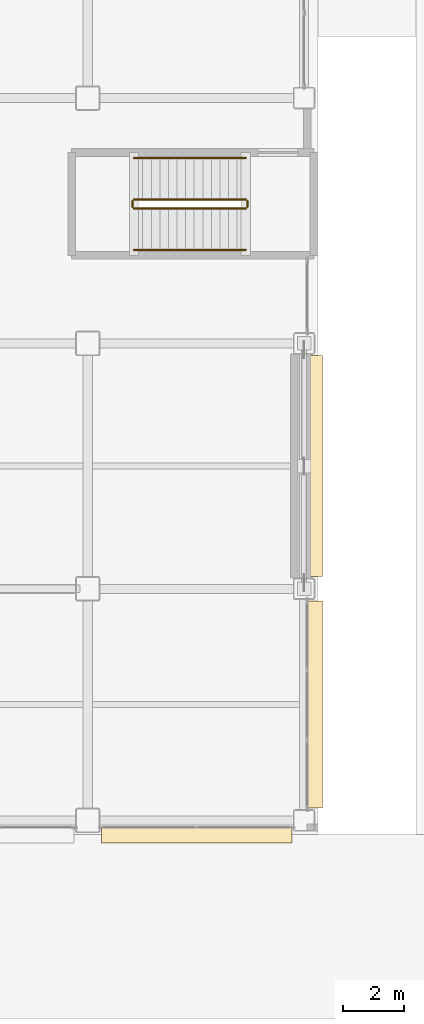
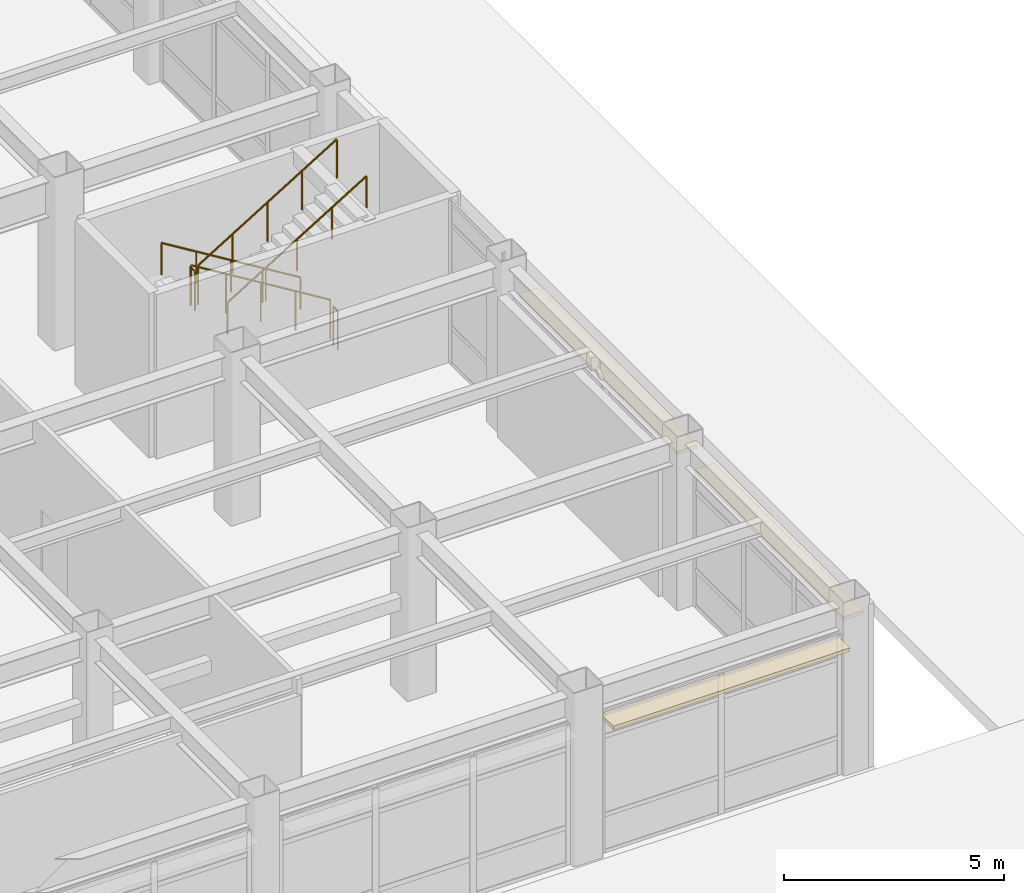
# One storey, part 167 of 172: 6 railings, 3 coverings.
"""IFC4 building model written with IfcOpenShell, lengths in metres."""

from ifc_helpers import new_model, si_unit, direction, frame, origin, origin_2d, place, context, subcontext, project, spatial, rectangle, circle, extrude, material, layer, layer_set, type_object, element, save


model = new_model("IFC4")

# Units and contexts
model_context = context("Model", 3, precision=1e-05, world=origin(), true_north=direction((0.0, 1.0)))
body_context = subcontext(model_context, "Body", "Model", "MODEL_VIEW")
ifc_project = project(units=[si_unit("LENGTHUNIT", "METRE"), si_unit("AREAUNIT", "SQUARE_METRE"), si_unit("VOLUMEUNIT", "CUBIC_METRE"), si_unit("PLANEANGLEUNIT", "RADIAN"), si_unit("MASSUNIT", "GRAM", prefix="KILO")], contexts=[model_context])

# Site, building, storey
site_placement = place(None, origin())
site = spatial("IfcSite", under=ifc_project, at=site_placement, CompositionType="ELEMENT")
building_placement = place(site_placement, origin())
building = spatial("IfcBuilding", under=site, at=building_placement, Name="Kazehara Bluff Congress Hotel", CompositionType="ELEMENT")
storey_placement = place(building_placement, frame((0.0, 0.0, 5.39990234375)))
storey = spatial("IfcBuildingStorey", under=building, at=storey_placement, Name="L01", CompositionType="ELEMENT", Elevation=5.39990234375)

# Coverings
ifc_material_1 = material(Name="Anodised aluminium architectural brise-soleil", Category="aluminium")
ifc_layer = layer(ifc_material_1, 0.10009765625)
ifc_layer_set = layer_set([ifc_layer], Name="Anodised aluminium architectural brise-soleil")
covering_type = type_object("IfcCoveringType", Name="TP-FAC-FIN", PredefinedType="CLADDING", material=ifc_layer_set)
covering_1_placement = place(storey_placement, frame((164.050048828125, -0.02001953125, 3.705078125), z_axis=(0.0, 0.0, 1.0), x_axis=(1.0, 0.0, 0.0)))
element("IfcCovering", 1, at=covering_1_placement, inside=storey, type_object=covering_type, Name="L01 V5 architectural sun-hood 56", PredefinedType="CLADDING", context=body_context, shape_type="SweptSolid", body=[
    extrude(rectangle(XDim=6.199951171875, YDim=0.52001953125, at=origin_2d()), origin(), (0.0, 0.0, 1.0), 0.10009765625),
])
covering_2_placement = place(storey_placement, frame((167.889892578125, 4.22509765625, 3.705078125), z_axis=(0.0, 0.0, 1.0), x_axis=(1.0, 0.0, 0.0)))
element("IfcCovering", 2, at=covering_2_placement, inside=storey, type_object=covering_type, Name="L01 V5 architectural sun-hood 57", PredefinedType="CLADDING", context=body_context, shape_type="SweptSolid", body=[
    extrude(rectangle(XDim=0.52001953125, YDim=6.75, at=origin_2d()), origin(), (0.0, 0.0, 1.0), 0.10009765625),
])
covering_3_placement = place(storey_placement, frame((167.889892578125, 12.0, 3.705078125), z_axis=(0.0, 0.0, 1.0), x_axis=(1.0, 0.0, 0.0)))
element("IfcCovering", 3, at=covering_3_placement, inside=storey, type_object=covering_type, Name="L01 V5 architectural sun-hood 58", PredefinedType="CLADDING", context=body_context, shape_type="SweptSolid", body=[
    extrude(rectangle(XDim=0.52001953125, YDim=7.199951171875, at=origin_2d()), origin(), (0.0, 0.0, 1.0), 0.10009765625),
])

# Railings
ifc_material_2 = material(Name="Brushed stainless steel", Category="steel")
railing_type_1 = type_object("IfcRailingType", Name="TP-GRD-INT", PredefinedType="GUARDRAIL", material=ifc_material_2)
railing_1_placement = place(storey_placement, frame((165.64990234375, 20.699951171875, 0.171630859375)))
element("IfcRailing", 4, at=railing_1_placement, inside=storey, type_object=railing_type_1, Name="L01 ST-10 stair guard 1", PredefinedType="GUARDRAIL", context=body_context, shape_type="SweptSolid", body=[
    extrude(circle(Radius=0.02392578125, at=origin_2d()), frame((0.0, 0.0, 1.076171875), z_axis=(-0.852850264322, 0.0, 0.5221555579), x_axis=(0.0, -1.0, 0.0)), (0.0, 0.0, 1.0), 4.267822265625),
    extrude(circle(Radius=0.02099609375, at=origin_2d()), origin(), (0.0, 0.0, 1.0), 1.052001953125),
    extrude(circle(Radius=0.02099609375, at=origin_2d()), frame((-0.909912109375, 0.0, 0.55712890625)), (0.0, 0.0, 1.0), 1.052001953125),
    extrude(circle(Radius=0.02099609375, at=origin_2d()), frame((-1.81982421875, 0.0, 1.1142578125)), (0.0, 0.0, 1.0), 1.052001953125),
    extrude(circle(Radius=0.02099609375, at=origin_2d()), frame((-2.72998046875, 0.0, 1.67138671875)), (0.0, 0.0, 1.0), 1.052001953125),
    extrude(circle(Radius=0.02099609375, at=origin_2d()), frame((-3.639892578125, 0.0, 2.228515625)), (0.0, 0.0, 1.0), 1.052001953125),
])
railing_2_placement = place(storey_placement, frame((161.9599609375, 20.64990234375, 2.400146484375)))
element("IfcRailing", 5, at=railing_2_placement, inside=storey, type_object=railing_type_1, Name="L01 ST-10 stair guard 2", PredefinedType="GUARDRAIL", context=body_context, shape_type="SweptSolid", body=[
    extrude(circle(Radius=0.02392578125, at=origin_2d()), frame((0.0, 0.0, 1.076171875), z_axis=(0.0, -1.0, 0.0), x_axis=(1.0, 0.0, 0.0)), (0.0, 0.0, 1.0), 0.199951171875),
    extrude(circle(Radius=0.02099609375, at=origin_2d()), origin(), (0.0, 0.0, 1.0), 1.052001953125),
    extrude(circle(Radius=0.02099609375, at=origin_2d()), frame((0.0, -0.199951171875, 0.0)), (0.0, 0.0, 1.0), 1.052001953125),
])
railing_3_placement = place(storey_placement, frame((162.010009765625, 20.39990234375, 2.571533203125)))
element("IfcRailing", 6, at=railing_3_placement, inside=storey, type_object=railing_type_1, Name="L01 ST-10 stair guard 3", PredefinedType="GUARDRAIL", context=body_context, shape_type="SweptSolid", body=[
    extrude(circle(Radius=0.02392578125, at=origin_2d()), frame((0.0, 0.0, 1.076171875), z_axis=(0.852850264322, 0.0, 0.5221555579), x_axis=(0.0, 1.0, 0.0)), (0.0, 0.0, 1.0), 4.267822265625),
    extrude(circle(Radius=0.02099609375, at=origin_2d()), origin(), (0.0, 0.0, 1.0), 1.052001953125),
    extrude(circle(Radius=0.02099609375, at=origin_2d()), frame((0.909912109375, 0.0, 0.55712890625)), (0.0, 0.0, 1.0), 1.052001953125),
    extrude(circle(Radius=0.02099609375, at=origin_2d()), frame((1.81982421875, 0.0, 1.1142578125)), (0.0, 0.0, 1.0), 1.052001953125),
    extrude(circle(Radius=0.02099609375, at=origin_2d()), frame((2.72998046875, 0.0, 1.67138671875)), (0.0, 0.0, 1.0), 1.052001953125),
    extrude(circle(Radius=0.02099609375, at=origin_2d()), frame((3.639892578125, 0.0, 2.228515625)), (0.0, 0.0, 1.0), 1.052001953125),
])
railing_4_placement = place(storey_placement, frame((165.699951171875, 20.64990234375, 0.0)))
element("IfcRailing", 7, at=railing_4_placement, inside=storey, type_object=railing_type_1, Name="L01 ST-10 stair guard 4", PredefinedType="GUARDRAIL", context=body_context, shape_type="SweptSolid", body=[
    extrude(circle(Radius=0.02392578125, at=origin_2d()), frame((0.0, 0.0, 1.076171875), z_axis=(0.0, -1.0, 0.0), x_axis=(1.0, 0.0, 0.0)), (0.0, 0.0, 1.0), 0.199951171875),
    extrude(circle(Radius=0.02099609375, at=origin_2d()), origin(), (0.0, 0.0, 1.0), 1.052001953125),
    extrude(circle(Radius=0.02099609375, at=origin_2d()), frame((0.0, -0.199951171875, 0.0)), (0.0, 0.0, 1.0), 1.052001953125),
])
ifc_material_3 = material(Name="Brushed stainless steel", Category="steel")
railing_type_2 = type_object("IfcRailingType", Name="TP-HR-INT", PredefinedType="HANDRAIL", material=ifc_material_3)
railing_5_placement = place(storey_placement, frame((165.64990234375, 22.050048828125, 0.171630859375)))
element("IfcRailing", 8, at=railing_5_placement, inside=storey, type_object=railing_type_2, Name="L01 ST-10 stair handrail 1", PredefinedType="HANDRAIL", context=body_context, shape_type="SweptSolid", body=[
    extrude(circle(Radius=0.02392578125, at=origin_2d()), frame((0.0, 0.0, 0.8759765625), z_axis=(-0.852850264322, 0.0, 0.5221555579), x_axis=(0.0, -1.0, 0.0)), (0.0, 0.0, 1.0), 4.267822265625),
    extrude(circle(Radius=0.02099609375, at=origin_2d()), origin(), (0.0, 0.0, 1.0), 0.851806640625),
    extrude(circle(Radius=0.02099609375, at=origin_2d()), frame((-0.909912109375, 0.0, 0.55712890625)), (0.0, 0.0, 1.0), 0.851806640625),
    extrude(circle(Radius=0.02099609375, at=origin_2d()), frame((-1.81982421875, 0.0, 1.1142578125)), (0.0, 0.0, 1.0), 0.851806640625),
    extrude(circle(Radius=0.02099609375, at=origin_2d()), frame((-2.72998046875, 0.0, 1.67138671875)), (0.0, 0.0, 1.0), 0.851806640625),
    extrude(circle(Radius=0.02099609375, at=origin_2d()), frame((-3.639892578125, 0.0, 2.228515625)), (0.0, 0.0, 1.0), 0.851806640625),
])
railing_6_placement = place(storey_placement, frame((162.010009765625, 19.050048828125, 2.571533203125)))
element("IfcRailing", 9, at=railing_6_placement, inside=storey, type_object=railing_type_2, Name="L01 ST-10 stair handrail 2", PredefinedType="HANDRAIL", context=body_context, shape_type="SweptSolid", body=[
    extrude(circle(Radius=0.02392578125, at=origin_2d()), frame((0.0, 0.0, 0.8759765625), z_axis=(0.852850264322, 0.0, 0.5221555579), x_axis=(0.0, 1.0, 0.0)), (0.0, 0.0, 1.0), 4.267822265625),
    extrude(circle(Radius=0.02099609375, at=origin_2d()), origin(), (0.0, 0.0, 1.0), 0.851806640625),
    extrude(circle(Radius=0.02099609375, at=origin_2d()), frame((0.909912109375, 0.0, 0.55712890625)), (0.0, 0.0, 1.0), 0.851806640625),
    extrude(circle(Radius=0.02099609375, at=origin_2d()), frame((1.81982421875, 0.0, 1.1142578125)), (0.0, 0.0, 1.0), 0.851806640625),
    extrude(circle(Radius=0.02099609375, at=origin_2d()), frame((2.72998046875, 0.0, 1.67138671875)), (0.0, 0.0, 1.0), 0.851806640625),
    extrude(circle(Radius=0.02099609375, at=origin_2d()), frame((3.639892578125, 0.0, 2.228515625)), (0.0, 0.0, 1.0), 0.851806640625),
])

save(model, "model.ifc")
